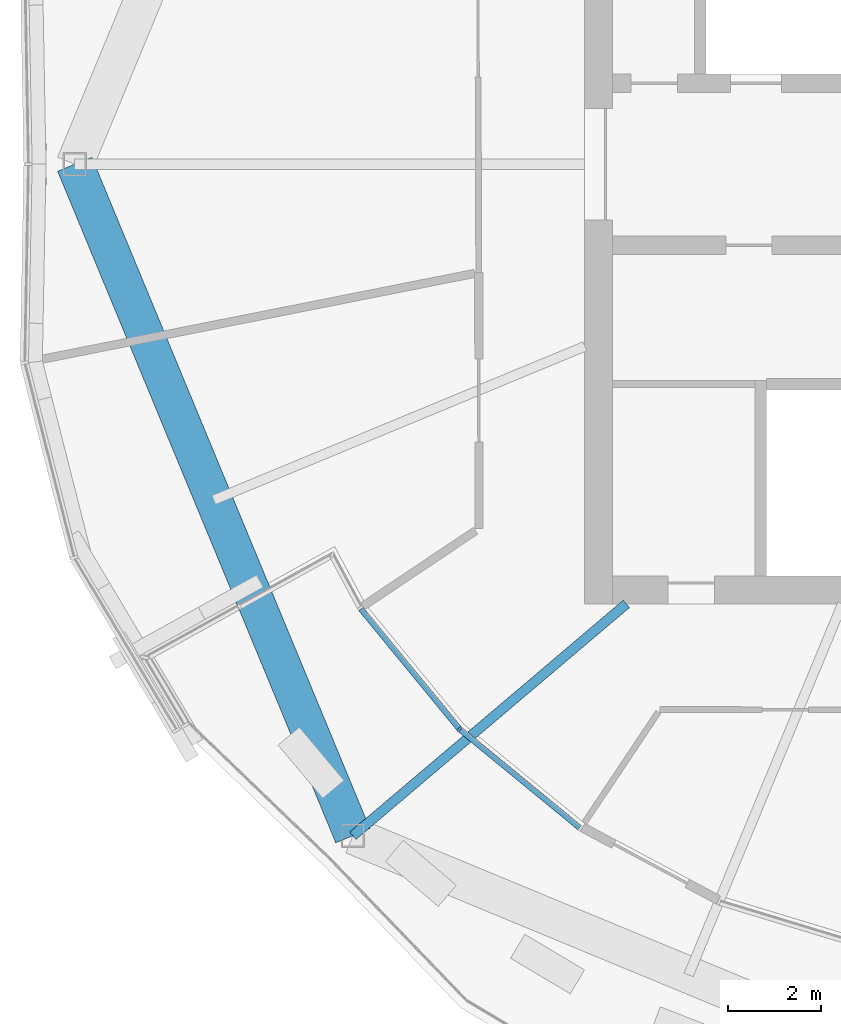
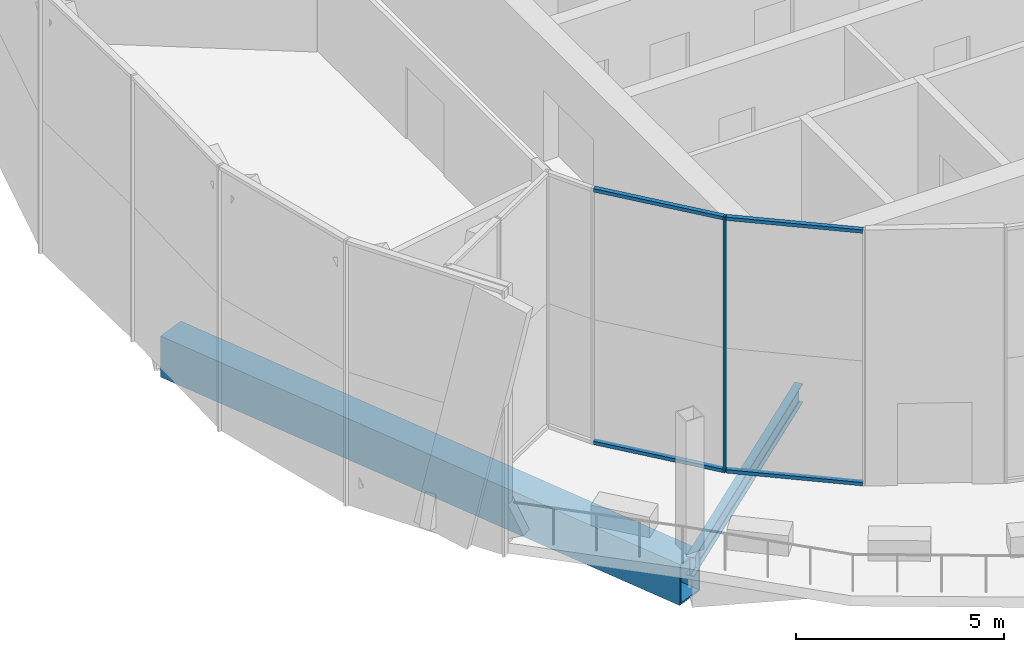
# One storey, part 4 of 27: 5 members, 2 beams, 2 elements without a shape of their own.
"""IFC4 building model written with IfcOpenShell, lengths in metres."""

from ifc_helpers import new_model, si_unit, direction, frame, origin, origin_2d, place, context, subcontext, project, spatial, rectangle, hollow_rectangle, i_section, extrude, material, material_profile, profile_set, type_object, element, aggregate, save


model = new_model("IFC4")

# Units and contexts
model_context = context("Model", 3, precision=1e-05, world=origin(), true_north=direction((0.0, 1.0)))
body_context = subcontext(model_context, "Body", "Model", "MODEL_VIEW")
ifc_project = project(units=[si_unit("LENGTHUNIT", "METRE"), si_unit("AREAUNIT", "SQUARE_METRE"), si_unit("VOLUMEUNIT", "CUBIC_METRE"), si_unit("PLANEANGLEUNIT", "RADIAN"), si_unit("MASSUNIT", "GRAM", prefix="KILO")], contexts=[model_context])

# Site, building, storey
site_placement = place(None, origin())
site = spatial("IfcSite", under=ifc_project, at=site_placement, CompositionType="ELEMENT")
building_placement = place(site_placement, origin())
building = spatial("IfcBuilding", under=site, at=building_placement, Name="Ogive Gate Towers", CompositionType="ELEMENT")
storey_placement = place(building_placement, frame((0.0, 0.0, 189.0)))
storey = spatial("IfcBuildingStorey", under=building, at=storey_placement, Name="L45", CompositionType="ELEMENT", Elevation=189.0)

# Beams
ifc_material_1 = material(Name="Steel SM460", Category="steel")
ifc_material_profile_1 = material_profile(ifc_material_1, hollow_rectangle(XDim=0.800048828125, YDim=1.199951171875, WallThickness=0.050048828125, at=origin_2d()), Name="BX 1200x800x50")
ifc_profile_set_1 = profile_set([ifc_material_profile_1], Name="Steel SM460")
beam_type_1 = type_object("IfcBeamType", Name="Edge girder BX 1200x800x50", PredefinedType="BEAM", material=ifc_profile_set_1)
beam_1_placement = place(storey_placement, frame((-56.52001953125, 0.0, -0.89990234375), z_axis=(0.38268953008, -0.923877006731, 0.0), x_axis=(0.923877006731, 0.38268953008, 0.0)))
element("IfcBeam", 1, at=beam_1_placement, inside=storey, type_object=beam_type_1, Name="T1/L45/SBM024", PredefinedType="BEAM", context=body_context, shape_type="SweptSolid", body=[
    extrude(hollow_rectangle(XDim=0.800048828125, YDim=1.199951171875, WallThickness=0.050048828125, at=origin_2d()), origin(), (0.0, 0.0, 1.0), 15.705322265625),
])
ifc_material_2 = material(Name="Steel SM355", Category="steel")
ifc_material_profile_2 = material_profile(ifc_material_2, i_section(OverallWidth=0.2099609375, OverallDepth=0.550048828125, WebThickness=0.010986328125, FlangeThickness=0.01708984375, FilletRadius=0.02392578125, at=origin_2d()), Name="IPE 550")
ifc_profile_set_2 = profile_set([ifc_material_profile_2], Name="Steel SM355")
beam_type_2 = type_object("IfcBeamType", Name="Radial floor beam IPE 550", PredefinedType="BEAM", material=ifc_profile_set_2)
beam_2_placement = place(storey_placement, frame((-44.60009765625, -9.5, -0.574951171875), z_axis=(-0.762795484328, -0.64663981403, 0.0), x_axis=(0.64663981403, -0.762795484328, 0.0)))
element("IfcBeam", 2, at=beam_2_placement, inside=storey, type_object=beam_type_2, Name="T1/L45/SBM001", PredefinedType="BEAM", context=body_context, shape_type="SweptSolid", body=[
    extrude(i_section(OverallWidth=0.2099609375, OverallDepth=0.550048828125, WebThickness=0.010986328125, FlangeThickness=0.01708984375, FilletRadius=0.02392578125, at=origin_2d()), origin(), (0.0, 0.0, 1.0), 7.747314453125),
])

# Curtain wall, members
ifc_material_3 = material(Name="Pale metal aluminium", Category="aluminium")
curtain_wall_type = type_object("IfcCurtainWallType", Name="Sky garden glazing", PredefinedType="NOTDEFINED", material=ifc_material_3)
curtain_wall_1_placement = place(storey_placement, origin())
curtain_wall_1 = element("IfcCurtainWall", 3, at=curtain_wall_1_placement, inside=storey, type_object=curtain_wall_type, Name="CW4 T1 ECW01", PredefinedType="NOTDEFINED")
ifc_material_profile_3 = material_profile(ifc_material_3, rectangle(XDim=0.1201171875, YDim=0.050048828125, at=origin_2d()), Name="50 x 120 aluminium box")
ifc_profile_set_3 = profile_set([ifc_material_profile_3], Name="Pale metal aluminium")
member_type_1 = type_object("IfcMemberType", Name="Sky garden glazing mullion 50 x 120", PredefinedType="MULLION", material=ifc_profile_set_3)
member_1_placement = place(storey_placement, frame((-48.20751953125, -12.2021484375, 0.0), z_axis=(0.0, 0.0, 1.0), x_axis=(0.772999380993, 0.634406775645, 0.0)))
member_1 = element("IfcMember", 4, at=member_1_placement, type_object=member_type_1, Name="CW4 mullion", PredefinedType="MULLION", context=body_context, shape_type="SweptSolid", body=[
    extrude(rectangle(XDim=0.1201171875, YDim=0.050048828125, at=origin_2d()), origin(), (0.0, 0.0, 1.0), 7.5),
])
ifc_material_profile_4 = material_profile(ifc_material_3, rectangle(XDim=0.1201171875, YDim=0.10009765625, at=origin_2d()), Name="100 x 120 aluminium box")
ifc_profile_set_4 = profile_set([ifc_material_profile_4], Name="Pale metal aluminium")
member_type_2 = type_object("IfcMemberType", Name="Sky garden glazing transom 100 x 120", PredefinedType="USERDEFINED", material=ifc_profile_set_4)
member_2_placement = place(storey_placement, frame((-48.223388671875, -12.182861328125, 7.449951171875), z_axis=(-0.634412216706, 0.772994915438, 0.0), x_axis=(-0.772994915438, -0.634412216706, 0.0)))
member_2 = element("IfcMember", 5, at=member_2_placement, type_object=member_type_2, Name="CW4 transom", ObjectType="TRANSOM", PredefinedType="USERDEFINED", context=body_context, shape_type="SweptSolid", body=[
    extrude(rectangle(XDim=0.1201171875, YDim=0.10009765625, at=origin_2d()), origin(), (0.0, 0.0, 1.0), 3.326171875),
])
member_3_placement = place(storey_placement, frame((-48.223388671875, -12.182861328125, 0.050048828125), z_axis=(-0.634412216706, 0.772994915438, 0.0), x_axis=(-0.772994915438, -0.634412216706, 0.0)))
member_3 = element("IfcMember", 6, at=member_3_placement, type_object=member_type_2, Name="CW4 transom", ObjectType="TRANSOM", PredefinedType="USERDEFINED", context=body_context, shape_type="SweptSolid", body=[
    extrude(rectangle(XDim=0.1201171875, YDim=0.10009765625, at=origin_2d()), origin(), (0.0, 0.0, 1.0), 3.326171875),
])
aggregate(curtain_wall_1, [member_1, member_2, member_3])

curtain_wall_2_placement = place(storey_placement, origin())
curtain_wall_2 = element("IfcCurtainWall", 7, at=curtain_wall_2_placement, inside=storey, type_object=curtain_wall_type, Name="CW4 T1 ECW02b", PredefinedType="NOTDEFINED")
member_4_placement = place(storey_placement, frame((-45.61181640625, -14.33349609375, 7.449951171875), z_axis=(-0.772994915438, 0.634412216706, 0.0), x_axis=(-0.634412216706, -0.772994915438, 0.0)))
member_4 = element("IfcMember", 8, at=member_4_placement, type_object=member_type_2, Name="CW4 transom", ObjectType="TRANSOM", PredefinedType="USERDEFINED", context=body_context, shape_type="SweptSolid", body=[
    extrude(rectangle(XDim=0.1201171875, YDim=0.10009765625, at=origin_2d()), origin(), (0.0, 0.0, 1.0), 3.326171875),
])
member_5_placement = place(storey_placement, frame((-45.61181640625, -14.33349609375, 0.050048828125), z_axis=(-0.772994915438, 0.634412216706, 0.0), x_axis=(-0.634412216706, -0.772994915438, 0.0)))
member_5 = element("IfcMember", 9, at=member_5_placement, type_object=member_type_2, Name="CW4 transom", ObjectType="TRANSOM", PredefinedType="USERDEFINED", context=body_context, shape_type="SweptSolid", body=[
    extrude(rectangle(XDim=0.1201171875, YDim=0.10009765625, at=origin_2d()), origin(), (0.0, 0.0, 1.0), 3.326171875),
])
aggregate(curtain_wall_2, [member_4, member_5])

save(model, "model.ifc")
